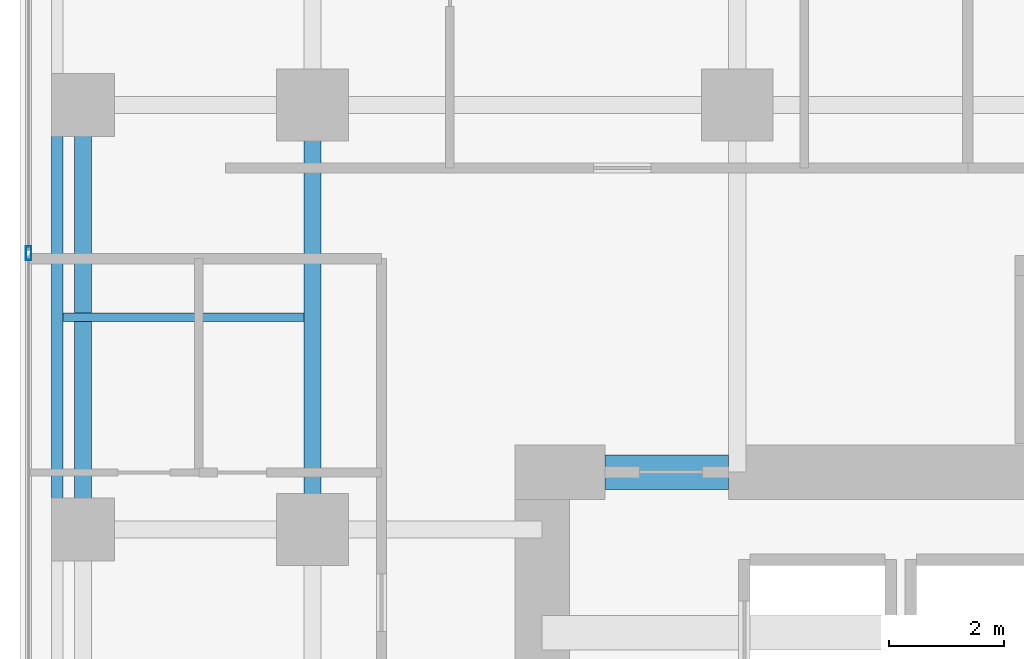
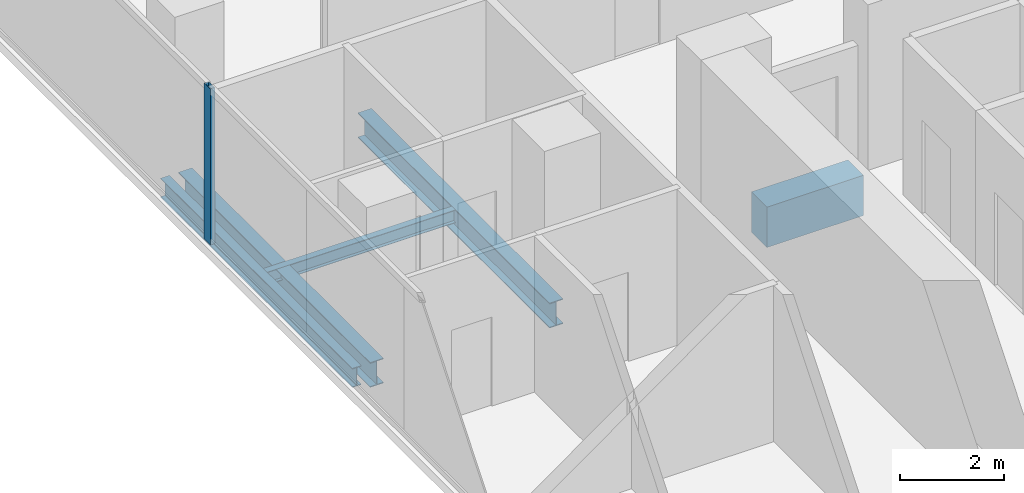
# One storey, part 7 of 28: 5 beams, 1 member, 1 element without a shape of its own.
"""IFC4 building model written with IfcOpenShell, lengths in metres."""

from ifc_helpers import new_model, si_unit, direction, frame, origin, origin_2d, place, context, subcontext, project, spatial, rectangle, hollow_rectangle, i_section, extrude, material, layer, layer_set, material_profile, profile_set, type_object, element, aggregate, save


model = new_model("IFC4")

# Units and contexts
model_context = context("Model", 3, precision=1e-05, world=origin(), true_north=direction((0.0, 1.0)))
body_context = subcontext(model_context, "Body", "Model", "MODEL_VIEW")
ifc_project = project(units=[si_unit("LENGTHUNIT", "METRE"), si_unit("AREAUNIT", "SQUARE_METRE"), si_unit("VOLUMEUNIT", "CUBIC_METRE"), si_unit("PLANEANGLEUNIT", "RADIAN"), si_unit("MASSUNIT", "GRAM", prefix="KILO")], contexts=[model_context])

# Site, building, storey
site_placement = place(None, origin())
site = spatial("IfcSite", under=ifc_project, at=site_placement, CompositionType="ELEMENT")
building_placement = place(site_placement, origin())
building = spatial("IfcBuilding", under=site, at=building_placement, Name="Khorvyn Point Tower", CompositionType="ELEMENT")
storey_placement = place(building_placement, frame((0.0, 0.0, 121.199951171875)))
storey = spatial("IfcBuildingStorey", under=building, at=storey_placement, Name="L30", CompositionType="ELEMENT", Elevation=121.199951171875)

# Curtain wall, member
ifc_material_1 = material(Name="Anodised aluminium 6063-T6 and laminated Low-E glass", Category="aluminium")
ifc_layer = layer(ifc_material_1, 0.18994140625)
ifc_layer_set = layer_set([ifc_layer], Name="Stick-Built Acoustic Curtain Wall CW-SYS-03")
curtain_wall_type = type_object("IfcCurtainWallType", Name="Stick-Built Acoustic Curtain Wall CW-SYS-03", PredefinedType="NOTDEFINED", material=ifc_layer_set)
curtain_wall_placement = place(storey_placement, origin())
curtain_wall = element("IfcCurtainWall", 1, at=curtain_wall_placement, inside=storey, type_object=curtain_wall_type, Name="Curtain Wall", PredefinedType="NOTDEFINED")
ifc_material_2 = material(Name="Anodised aluminium 6063-T6", Category="aluminium")
ifc_material_profile_1 = material_profile(ifc_material_2, hollow_rectangle(XDim=0.10009765625, YDim=0.239990234375, WallThickness=0.0048828125, at=origin_2d()))
ifc_profile_set_1 = profile_set([ifc_material_profile_1], Name="Anodised aluminium 6063-T6 ALU-MUL-100x240")
member_type = type_object("IfcMemberType", Name="Anodised Aluminium 6063-T6 Mullion ALU-MUL-100x240", PredefinedType="MULLION", material=ifc_profile_set_1)
member_placement = place(storey_placement, frame((-19.75, 12.216552734375, 0.0), z_axis=(0.0, 0.0, 1.0), x_axis=(-1.0, 0.0, 0.0)))
member = element("IfcMember", 2, at=member_placement, type_object=member_type, Name="Transom", PredefinedType="MULLION", context=body_context, shape_type="SweptSolid", body=[
    extrude(hollow_rectangle(XDim=0.10009765625, YDim=0.239990234375, WallThickness=0.0048828125, at=origin_2d()), origin(), (0.0, 0.0, 1.0), 3.679931640625),
])
aggregate(curtain_wall, [member])

# Beams
ifc_material_3 = material(Name="Concrete C50/60", Category="concrete")
ifc_material_profile_2 = material_profile(ifc_material_3, rectangle(XDim=0.60009765625, YDim=0.949951171875, at=origin_2d()))
ifc_profile_set_2 = profile_set([ifc_material_profile_2], Name="Concrete C50/60 RC600x950")
beam_type_1 = type_object("IfcBeamType", Name="Concrete C50/60 Beam RC600x950", PredefinedType="BEAM", material=ifc_profile_set_2)
beam_1_placement = place(storey_placement, frame((-9.699951171875, 8.39990234375, -0.695068359375), z_axis=(1.0, 0.0, 0.0), x_axis=(0.0, 1.0, 0.0)))
element("IfcBeam", 3, at=beam_1_placement, inside=storey, type_object=beam_type_1, Name="L30 Core Northwest Portal Coupling Beam", PredefinedType="BEAM", context=body_context, shape_type="SweptSolid", body=[
    extrude(rectangle(XDim=0.60009765625, YDim=0.949951171875, at=origin_2d()), origin(), (0.0, 0.0, 1.0), 2.14990234375),
])
ifc_material_4 = material(Name="Steel S355", Category="steel")
ifc_material_profile_3 = material_profile(ifc_material_4, i_section(OverallWidth=0.300048828125, OverallDepth=0.587890625, WebThickness=0.011962890625, FlangeThickness=0.02001953125, at=origin_2d()))
ifc_profile_set_3 = profile_set([ifc_material_profile_3], Name="Steel S355 H588x300x12x20")
beam_type_2 = type_object("IfcBeamType", Name="Steel S355 Beam H588x300x12x20", PredefinedType="BEAM", material=ifc_profile_set_3)
for number, where, z_axis, x_axis, name in (
    (4, (-14.800048828125, 7.39990234375, -0.513916015625), (0.0, 1.0, 0.0), (-1.0, 0.0, 0.0), "Beam"),
    (5, (-18.800048828125, 7.39990234375, -0.513916015625), (0.0, 1.0, 0.0), (-1.0, 0.0, 0.0), "Beam"),
):
    element("IfcBeam", number, at=place(storey_placement, frame(where, z_axis=z_axis, x_axis=x_axis)), inside=storey, type_object=beam_type_2, Name=name, PredefinedType="BEAM", context=body_context, shape_type="SweptSolid", body=[
        extrude(i_section(OverallWidth=0.300048828125, OverallDepth=0.587890625, WebThickness=0.011962890625, FlangeThickness=0.02001953125, at=origin_2d()), origin(), (0.0, 0.0, 1.0), 7.400146484375),
    ])
ifc_material_profile_4 = material_profile(ifc_material_4, i_section(OverallWidth=0.14990234375, OverallDepth=0.300048828125, WebThickness=0.006591796875, FlangeThickness=0.009033203125, at=origin_2d()))
ifc_profile_set_4 = profile_set([ifc_material_profile_4], Name="Steel S355 H300x150x6.5x9")
beam_type_3 = type_object("IfcBeamType", Name="Steel S355 Joist H300x150x6.5x9", PredefinedType="JOIST", material=ifc_profile_set_4)
beam_2_placement = place(storey_placement, frame((-19.14990234375, 11.10009765625, -0.369873046875), z_axis=(1.0, 0.0, 0.0), x_axis=(0.0, 1.0, 0.0)))
element("IfcBeam", 6, at=beam_2_placement, inside=storey, type_object=beam_type_3, Name="Beam", PredefinedType="JOIST", context=body_context, shape_type="SweptSolid", body=[
    extrude(i_section(OverallWidth=0.14990234375, OverallDepth=0.300048828125, WebThickness=0.006591796875, FlangeThickness=0.009033203125, at=origin_2d()), origin(), (0.0, 0.0, 1.0), 4.199951171875),
])
ifc_material_profile_5 = material_profile(ifc_material_4, i_section(OverallWidth=0.199951171875, OverallDepth=0.449951171875, WebThickness=0.009033203125, FlangeThickness=0.013916015625, at=origin_2d()))
ifc_profile_set_5 = profile_set([ifc_material_profile_5], Name="Steel S355 H450x200x9x14")
beam_type_4 = type_object("IfcBeamType", Name="Steel S355 Spandrel H450x200x9x14", PredefinedType="SPANDREL", material=ifc_profile_set_5)
beam_3_placement = place(storey_placement, frame((-19.25, 7.39990234375, -0.445068359375), z_axis=(0.0, 1.0, 0.0), x_axis=(-1.0, 0.0, 0.0)))
element("IfcBeam", 7, at=beam_3_placement, inside=storey, type_object=beam_type_4, Name="Beam", PredefinedType="SPANDREL", context=body_context, shape_type="SweptSolid", body=[
    extrude(i_section(OverallWidth=0.199951171875, OverallDepth=0.449951171875, WebThickness=0.009033203125, FlangeThickness=0.013916015625, at=origin_2d()), origin(), (0.0, 0.0, 1.0), 7.400146484375),
])

save(model, "model.ifc")
